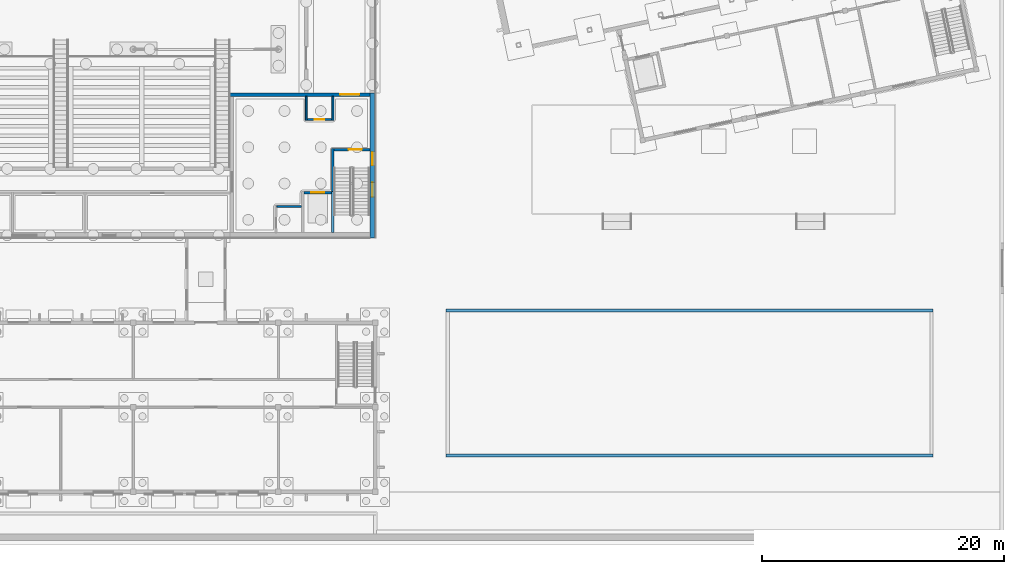
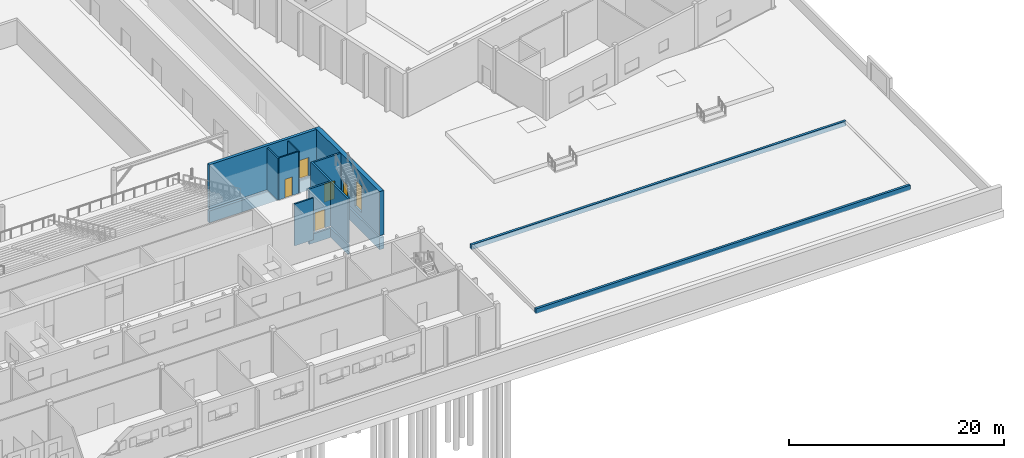
# One storey, part 101 of 157: 15 walls, 5 doors, 1 window, 6 openings.
"""IFC4 building model written with IfcOpenShell, lengths in metres."""

from ifc_helpers import new_model, si_unit, direction, frame, frame_2d, origin, place, context, subcontext, project, spatial, rectangle, extrude, material, layer, layer_set, type_object, element, fill, save


model = new_model("IFC4")

# Units and contexts
model_context = context("Model", 3, precision=1e-05, world=origin(), true_north=direction((0.0, 1.0)))
body_context = subcontext(model_context, "Body", "Model", "MODEL_VIEW")
ifc_project = project(units=[si_unit("LENGTHUNIT", "METRE"), si_unit("AREAUNIT", "SQUARE_METRE"), si_unit("VOLUMEUNIT", "CUBIC_METRE"), si_unit("PLANEANGLEUNIT", "RADIAN"), si_unit("MASSUNIT", "GRAM", prefix="KILO")], contexts=[model_context])

# Site, building, storey
site_placement = place(None, origin())
site = spatial("IfcSite", under=ifc_project, at=site_placement, CompositionType="ELEMENT")
building_placement = place(site_placement, origin())
building = spatial("IfcBuilding", under=site, at=building_placement, Name="Windward Yard Aquatics Centre", CompositionType="ELEMENT")
storey_placement = place(building_placement, origin())
storey = spatial("IfcBuildingStorey", under=building, at=storey_placement, Name="L00", CompositionType="ELEMENT", Elevation=0.0)

# Wall
ifc_material_1 = material(Name="Concrete C35/45", Category="concrete")
ifc_layer_1 = layer(ifc_material_1, 0.199951171875)
ifc_layer_set_1 = layer_set([ifc_layer_1], Name="H Enclosure Wall Concrete C35/45 200")
wall_type_1 = type_object("IfcWallType", Name="H Enclosure Wall Concrete C35/45 200", PredefinedType="SOLIDWALL", material=ifc_layer_set_1)
wall_1_placement = place(storey_placement, frame((148.5, 26.449951171875, 0.0), z_axis=(0.0, 0.0, 1.0), x_axis=(0.0, 1.0, 0.0)))
element("IfcWall", 1, at=wall_1_placement, inside=storey, type_object=wall_type_1, Name="L00 W1 enclosure wall SE", PredefinedType="SOLIDWALL", context=body_context, shape_type="SweptSolid", body=[
    extrude(rectangle(XDim=6.949951171875, YDim=0.199951171875, at=frame_2d((3.47509765625, 0.0))), origin(), (0.0, 0.0, 1.0), 5.0),
])

# Wall, opening, door
wall_2_placement = place(storey_placement, frame((151.550048828125, 33.300048828125, 0.0), z_axis=(0.0, 0.0, 1.0), x_axis=(-1.0, 0.0, 0.0)))
wall_2 = element("IfcWall", 2, at=wall_2_placement, inside=storey, type_object=wall_type_1, Name="L00 W2 enclosure wall SE", PredefinedType="SOLIDWALL", context=body_context, shape_type="SweptSolid", body=[
    extrude(rectangle(XDim=2.949951171875, YDim=0.199951171875, at=frame_2d((1.47509765625, 0.0))), origin(), (0.0, 0.0, 1.0), 5.0),
])
opening_1_placement = place(wall_2_placement, frame((0.64990234375, 0.0, 0.0)))
opening_1 = element("IfcOpeningElement", 3, at=opening_1_placement, cuts=wall_2, Name="Opening H0008", PredefinedType="OPENING", context=body_context, shape_type="SweptSolid", body=[
    extrude(rectangle(XDim=1.10009765625, YDim=2.10009765625, at=frame_2d((0.550048828125, 1.050048828125))), frame((0.0, 0.10986328125, 0.0), z_axis=(0.0, -1.0, 0.0), x_axis=(1.0, 0.0, 0.0)), (0.0, 0.0, 1.0), 0.219970703125),
])
ifc_material_2 = material(Name="Steel and timber door leaf", Category="steel")
door_type_1 = type_object("IfcDoorType", Name="H Door Single 1100 x 2100 FD60", OperationType="NOTDEFINED", PredefinedType="DOOR", material=ifc_material_2)
door_1_placement = place(opening_1_placement, origin())
door_1 = element("IfcDoor", 4, at=door_1_placement, inside=storey, type_object=door_type_1, Name="L00 stair SE door", OperationType="SINGLE_SWING_RIGHT", OverallHeight=2.10009765625, OverallWidth=1.10009765625, PredefinedType="DOOR", context=body_context, shape_type="SweptSolid", body=[
    extrude(rectangle(XDim=1.10009765625, YDim=2.10009765625, at=frame_2d((0.550048828125, 1.050048828125))), frame((0.0, 0.02490234375, 0.0), z_axis=(0.0, -1.0, 0.0), x_axis=(1.0, 0.0, 0.0)), (0.0, 0.0, 1.0), 0.050048828125),
])
fill(opening_1, door_1)

wall_3_placement = place(storey_placement, frame((148.39990234375, 29.75, 0.0), z_axis=(0.0, 0.0, 1.0), x_axis=(-1.0, 0.0, 0.0)))
wall_3 = element("IfcWall", 5, at=wall_3_placement, inside=storey, type_object=wall_type_1, Name="L00 W4 enclosure wall SE", PredefinedType="SOLIDWALL", context=body_context, shape_type="SweptSolid", body=[
    extrude(rectangle(XDim=2.2998046875, YDim=0.199951171875, at=frame_2d((1.14990234375, 0.0))), origin(), (0.0, 0.0, 1.0), 5.0),
])
opening_2_placement = place(wall_3_placement, frame((0.60009765625, 0.0, 0.0)))
opening_2 = element("IfcOpeningElement", 6, at=opening_2_placement, cuts=wall_3, Name="Opening H0009", PredefinedType="OPENING", context=body_context, shape_type="SweptSolid", body=[
    extrude(rectangle(XDim=1.10009765625, YDim=2.10009765625, at=frame_2d((0.550048828125, 1.050048828125))), frame((0.0, 0.10986328125, 0.0), z_axis=(0.0, -1.0, 0.0), x_axis=(1.0, 0.0, 0.0)), (0.0, 0.0, 1.0), 0.219970703125),
])
ifc_material_3 = material(Name="Stainless steel 1.4301", Category="steel")
door_type_2 = type_object("IfcDoorType", Name="H Lift Landing Door 1100 x 2100", OperationType="DOUBLE_DOOR_SLIDING", PredefinedType="DOOR", material=ifc_material_3)
door_2_placement = place(opening_2_placement, origin())
door_2 = element("IfcDoor", 7, at=door_2_placement, inside=storey, type_object=door_type_2, Name="Lift SE landing door L00", OperationType="DOUBLE_DOOR_SLIDING", OverallHeight=2.10009765625, OverallWidth=1.10009765625, PredefinedType="DOOR", context=body_context, shape_type="SweptSolid", body=[
    extrude(rectangle(XDim=1.10009765625, YDim=2.10009765625, at=frame_2d((0.550048828125, 1.050048828125))), frame((0.0, 0.02490234375, 0.0), z_axis=(0.0, -1.0, 0.0), x_axis=(1.0, 0.0, 0.0)), (0.0, 0.0, 1.0), 0.050048828125),
])
fill(opening_2, door_2)

# Walls
ifc_layer_2 = layer(ifc_material_1, 0.199951171875)
ifc_layer_set_2 = layer_set([ifc_layer_2], Name="H Lift Pit Wall Concrete C35/45 200")
wall_type_2 = type_object("IfcWallType", Name="H Lift Pit Wall Concrete C35/45 200", PredefinedType="SOLIDWALL", material=ifc_layer_set_2)
wall_4_placement = place(storey_placement, frame((148.5, 26.449951171875, -1.300048828125), z_axis=(0.0, 0.0, 1.0), x_axis=(0.0, 1.0, 0.0)))
element("IfcWall", 8, at=wall_4_placement, inside=storey, type_object=wall_type_2, Name="Lift pit wall P1 SE", PredefinedType="SOLIDWALL", context=body_context, shape_type="SweptSolid", body=[
    extrude(rectangle(XDim=3.400146484375, YDim=0.199951171875, at=frame_2d((1.7001953125, 0.0))), origin(), (0.0, 0.0, 1.0), 1.050048828125),
])
wall_5_placement = place(storey_placement, frame((148.39990234375, 29.75, -1.300048828125), z_axis=(0.0, 0.0, 1.0), x_axis=(-1.0, 0.0, 0.0)))
element("IfcWall", 9, at=wall_5_placement, inside=storey, type_object=wall_type_2, Name="Lift pit wall P4 SE", PredefinedType="SOLIDWALL", context=body_context, shape_type="SweptSolid", body=[
    extrude(rectangle(XDim=2.2998046875, YDim=0.199951171875, at=frame_2d((1.14990234375, 0.0))), origin(), (0.0, 0.0, 1.0), 1.050048828125),
])
ifc_material_4 = material(Name="Blockwork 150 mm", Category="masonry")
ifc_layer_3 = layer(ifc_material_4, 0.14990234375)
ifc_layer_set_3 = layer_set([ifc_layer_3], Name="H Partition Blockwork 150")
wall_type_3 = type_object("IfcWallType", Name="H Partition Blockwork 150", PredefinedType="PARTITIONING", material=ifc_layer_set_3)
wall_6_placement = place(storey_placement, frame((145.89990234375, 28.60009765625, 0.0), z_axis=(0.0, 0.0, 1.0), x_axis=(-1.0, 0.0, 0.0)))
element("IfcWall", 10, at=wall_6_placement, inside=storey, type_object=wall_type_3, Name="L00 R1N riser wall SE", PredefinedType="PARTITIONING", context=body_context, shape_type="SweptSolid", body=[
    extrude(rectangle(XDim=2.02490234375, YDim=0.14990234375, at=frame_2d((1.012451171875, 0.0))), origin(), (0.0, 0.0, 1.0), 4.75),
])

# Wall, opening, door
wall_7_placement = place(storey_placement, frame((148.425048828125, 35.800048828125, 0.0), z_axis=(0.0, 0.0, 1.0), x_axis=(-1.0, 0.0, 0.0)))
wall_7 = element("IfcWall", 11, at=wall_7_placement, inside=storey, type_object=wall_type_3, Name="L00 R2S riser wall SE", PredefinedType="PARTITIONING", context=body_context, shape_type="SweptSolid", body=[
    extrude(rectangle(XDim=2.050048828125, YDim=0.14990234375, at=frame_2d((1.02490234375, 0.0))), origin(), (0.0, 0.0, 1.0), 4.75),
])
opening_3_placement = place(wall_7_placement, frame((0.625, 0.0, 0.0)))
opening_3 = element("IfcOpeningElement", 12, at=opening_3_placement, cuts=wall_7, Name="Opening H0011", PredefinedType="OPENING", context=body_context, shape_type="SweptSolid", body=[
    extrude(rectangle(XDim=0.800048828125, YDim=2.10009765625, at=frame_2d((0.39990234375, 1.050048828125))), frame((0.0, 0.0849609375, 0.0), z_axis=(0.0, -1.0, 0.0), x_axis=(1.0, 0.0, 0.0)), (0.0, 0.0, 1.0), 0.169921875),
])
door_type_3 = type_object("IfcDoorType", Name="H Door Riser 800 x 2100 FD60", OperationType="NOTDEFINED", PredefinedType="DOOR", material=ifc_material_2)
door_3_placement = place(opening_3_placement, origin())
door_3 = element("IfcDoor", 13, at=door_3_placement, inside=storey, type_object=door_type_3, Name="L00 communications riser SE door", OperationType="SINGLE_SWING_RIGHT", OverallHeight=2.10009765625, OverallWidth=0.800048828125, PredefinedType="DOOR", context=body_context, shape_type="SweptSolid", body=[
    extrude(rectangle(XDim=0.800048828125, YDim=2.10009765625, at=frame_2d((0.39990234375, 1.050048828125))), frame((0.0, 0.02490234375, 0.0), z_axis=(0.0, -1.0, 0.0), x_axis=(1.0, 0.0, 0.0)), (0.0, 0.0, 1.0), 0.050048828125),
])
fill(opening_3, door_3)

# Walls
for number, where, z_axis, x_axis, name in (
    (14, (148.5, 35.72509765625, 0.0), (0.0, 0.0, 1.0), (0.0, 1.0, 0.0), "L00 R2W riser wall SE"),
    (15, (146.300048828125, 35.72509765625, 0.0), (0.0, 0.0, 1.0), (0.0, 1.0, 0.0), "L00 R2E riser wall SE"),
):
    element("IfcWall", number, at=place(storey_placement, frame(where, z_axis=z_axis, x_axis=x_axis)), inside=storey, type_object=wall_type_3, Name=name, PredefinedType="PARTITIONING", context=body_context, shape_type="SweptSolid", body=[
        extrude(rectangle(XDim=1.974853515625, YDim=0.14990234375, at=frame_2d((0.9873046875, 0.0))), origin(), (0.0, 0.0, 1.0), 4.75),
    ])
ifc_material_5 = material(Name="Natural stone cladding", Category="masonry")
ifc_layer_4 = layer(ifc_material_5, 0.04, Name="Cladding")
ifc_material_6 = material(Name="Ventilated air cavity")
ifc_layer_5 = layer(ifc_material_6, 0.05, ventilated=True, Name="Ventilated cavity")
ifc_material_7 = material(Name="Mineral wool insulation")
ifc_layer_6 = layer(ifc_material_7, 0.08, Name="Insulation")
ifc_layer_7 = layer(ifc_material_1, 0.28, Name="Structure")
ifc_layer_set_4 = layer_set([ifc_layer_4, ifc_layer_5, ifc_layer_6, ifc_layer_7], Name="H plinth wall stone faced 450 C35/45")
wall_type_4 = type_object("IfcWallType", Name="H plinth wall stone faced 450 C35/45", PredefinedType="ELEMENTEDWALL", material=ifc_layer_set_4)
wall_8_placement = place(storey_placement, frame((151.77490234375, 26.0, -1.60009765625), z_axis=(0.0, 0.0, 1.0), x_axis=(0.0, 1.0, 0.0)))
element("IfcWall", 16, at=wall_8_placement, inside=storey, type_object=wall_type_4, Name="H.CW.SE.E.PIT", PredefinedType="ELEMENTEDWALL", context=body_context, shape_type="SweptSolid", body=[
    extrude(rectangle(XDim=12.0, YDim=0.449951171875, at=frame_2d((6.0, 0.0))), origin(), (0.0, 0.0, 1.0), 1.35009765625),
])

# Wall, openings, window, door
wall_9_placement = place(storey_placement, frame((151.77490234375, 26.0, 0.0), z_axis=(0.0, 0.0, 1.0), x_axis=(0.0, 1.0, 0.0)))
wall_9 = element("IfcWall", 17, at=wall_9_placement, inside=storey, type_object=wall_type_4, Name="H.CW.SE.E.L00", PredefinedType="ELEMENTEDWALL", context=body_context, shape_type="SweptSolid", body=[
    extrude(rectangle(XDim=12.0, YDim=0.449951171875, at=frame_2d((6.0, 0.0))), origin(), (0.0, 0.0, 1.0), 5.0),
])
opening_4_placement = place(wall_9_placement, frame((7.10009765625, 0.0, 0.0), z_axis=(0.0, 0.0, 1.0), x_axis=(-1.0, 0.0, 0.0)))
opening_4 = element("IfcOpeningElement", 18, at=opening_4_placement, cuts=wall_9, Name="Opening H0014", PredefinedType="OPENING", context=body_context, shape_type="SweptSolid", body=[
    extrude(rectangle(XDim=1.10009765625, YDim=2.10009765625, at=frame_2d((0.550048828125, 1.050048828125))), frame((0.0, 0.23486328125, 0.0), z_axis=(0.0, -1.0, 0.0), x_axis=(1.0, 0.0, 0.0)), (0.0, 0.0, 1.0), 0.469970703125),
])
opening_5_placement = place(wall_9_placement, frame((3.39990234375, 0.0, 0.60009765625)))
opening_5 = element("IfcOpeningElement", 19, at=opening_5_placement, cuts=wall_9, Name="Opening W0104", PredefinedType="OPENING", context=body_context, shape_type="SweptSolid", body=[
    extrude(rectangle(XDim=1.199951171875, YDim=3.0, at=frame_2d((0.60009765625, 1.5))), frame((0.0, 0.23486328125, 0.0), z_axis=(0.0, -1.0, 0.0), x_axis=(1.0, 0.0, 0.0)), (0.0, 0.0, 1.0), 0.469970703125),
])
ifc_material_8 = material(Name="Fire-resisting glazing in steel frame", Category="steel")
window_type = type_object("IfcWindowType", Name="H Core Stair Window 1200 x 3000 EI 60", PartitioningType="SINGLE_PANEL", PredefinedType="WINDOW", material=ifc_material_8)
window_placement = place(opening_5_placement, origin())
window = element("IfcWindow", 20, at=window_placement, inside=storey, type_object=window_type, Name="L00 core SE stair window", OverallHeight=3.0, OverallWidth=1.199951171875, PartitioningType="SINGLE_PANEL", PredefinedType="WINDOW", context=body_context, shape_type="SweptSolid", body=[
    extrude(rectangle(XDim=1.199951171875, YDim=3.0, at=frame_2d((0.60009765625, 1.5))), frame((0.0, 0.030029296875, 0.0), z_axis=(0.0, -1.0, 0.0), x_axis=(1.0, 0.0, 0.0)), (0.0, 0.0, 1.0), 0.06005859375),
])
fill(opening_5, window)
door_4_placement = place(opening_4_placement, origin())
door_4 = element("IfcDoor", 21, at=door_4_placement, inside=storey, type_object=door_type_1, Name="Stair SE exit door", OperationType="SINGLE_SWING_LEFT", OverallHeight=2.10009765625, OverallWidth=1.10009765625, PredefinedType="DOOR", context=body_context, shape_type="SweptSolid", body=[
    extrude(rectangle(XDim=1.10009765625, YDim=2.10009765625, at=frame_2d((0.550048828125, 1.050048828125))), frame((0.0, 0.02490234375, 0.0), z_axis=(0.0, -1.0, 0.0), x_axis=(1.0, 0.0, 0.0)), (0.0, 0.0, 1.0), 0.050048828125),
])
fill(opening_4, door_4)

# Wall
ifc_layer_8 = layer(ifc_material_1, 0.300048828125)
ifc_layer_set_5 = layer_set([ifc_layer_8], Name="H rear wall 300 C35/45")
wall_type_5 = type_object("IfcWallType", Name="H rear wall 300 C35/45", PredefinedType="SOLIDWALL", material=ifc_layer_set_5)
wall_10_placement = place(storey_placement, frame((151.550048828125, 37.85009765625, -1.60009765625), z_axis=(0.0, 0.0, 1.0), x_axis=(-1.0, 0.0, 0.0)))
element("IfcWall", 22, at=wall_10_placement, inside=storey, type_object=wall_type_5, Name="H.CW.SE.N.PIT", PredefinedType="SOLIDWALL", context=body_context, shape_type="SweptSolid", body=[
    extrude(rectangle(XDim=11.550048828125, YDim=0.300048828125, at=frame_2d((5.77490234375, 0.0))), origin(), (0.0, 0.0, 1.0), 1.35009765625),
])

# Wall, opening, door
wall_11_placement = place(storey_placement, frame((151.550048828125, 37.85009765625, 0.0), z_axis=(0.0, 0.0, 1.0), x_axis=(-1.0, 0.0, 0.0)))
wall_11 = element("IfcWall", 23, at=wall_11_placement, inside=storey, type_object=wall_type_5, Name="H.CW.SE.N.L00", PredefinedType="SOLIDWALL", context=body_context, shape_type="SweptSolid", body=[
    extrude(rectangle(XDim=11.550048828125, YDim=0.300048828125, at=frame_2d((5.77490234375, 0.0))), origin(), (0.0, 0.0, 1.0), 5.0),
])
opening_6_placement = place(wall_11_placement, frame((0.85009765625, 0.0, 0.0)))
opening_6 = element("IfcOpeningElement", 24, at=opening_6_placement, cuts=wall_11, Name="Opening H0013", PredefinedType="OPENING", context=body_context, shape_type="SweptSolid", body=[
    extrude(rectangle(XDim=1.60009765625, YDim=2.10009765625, at=frame_2d((0.800048828125, 1.050048828125))), frame((0.0, 0.16015625, 0.0), z_axis=(0.0, -1.0, 0.0), x_axis=(1.0, 0.0, 0.0)), (0.0, 0.0, 1.0), 0.320068359375),
])
door_type_4 = type_object("IfcDoorType", Name="H Door Double 1600 x 2100 FD60", OperationType="DOUBLE_DOOR_SINGLE_SWING", PredefinedType="DOOR", material=ifc_material_2)
door_5_placement = place(opening_6_placement, origin())
door_5 = element("IfcDoor", 25, at=door_5_placement, inside=storey, type_object=door_type_4, Name="L00 core SE door to gable", OperationType="DOUBLE_DOOR_SINGLE_SWING", OverallHeight=2.10009765625, OverallWidth=1.60009765625, PredefinedType="DOOR", context=body_context, shape_type="SweptSolid", body=[
    extrude(rectangle(XDim=1.60009765625, YDim=2.10009765625, at=frame_2d((0.800048828125, 1.050048828125))), frame((0.0, 0.02490234375, 0.0), z_axis=(0.0, -1.0, 0.0), x_axis=(1.0, 0.0, 0.0)), (0.0, 0.0, 1.0), 0.050048828125),
])
fill(opening_6, door_5)

# Walls
ifc_material_9 = material(Name="Bituminous waterproofing membrane with root barrier")
ifc_layer_9 = layer(ifc_material_9, 0.005, Name="Waterproofing and root barrier")
ifc_material_10 = material(Name="Concrete C30/37", Category="concrete")
ifc_layer_10 = layer(ifc_material_10, 0.245, Name="Structure")
ifc_layer_set_6 = layer_set([ifc_layer_9, ifc_layer_10], Name="X Planter Wall Concrete C30/37 250 x 550")
wall_type_6 = type_object("IfcWallType", Name="X Planter Wall Concrete C30/37 250 x 550", PredefinedType="USERDEFINED", material=ifc_layer_set_6)
for number, where, z_axis, x_axis, name in (
    (26, (157.875, 8.0, -0.10009765625), (0.0, 0.0, 1.0), (1.0, 0.0, 0.0), "East shade garden planter wall"),
    (27, (157.875, 20.0, -0.10009765625), (0.0, 0.0, 1.0), (1.0, 0.0, 0.0), "East shade garden planter wall"),
):
    element("IfcWall", number, at=place(storey_placement, frame(where, z_axis=z_axis, x_axis=x_axis)), inside=storey, type_object=wall_type_6, Name=name, ObjectType="PLANTER WALL", PredefinedType="USERDEFINED", context=body_context, shape_type="SweptSolid", body=[
        extrude(rectangle(XDim=40.25, YDim=0.25, at=frame_2d((20.125, 0.0))), origin(), (0.0, 0.0, 1.0), 0.550048828125),
    ])

save(model, "model.ifc")
